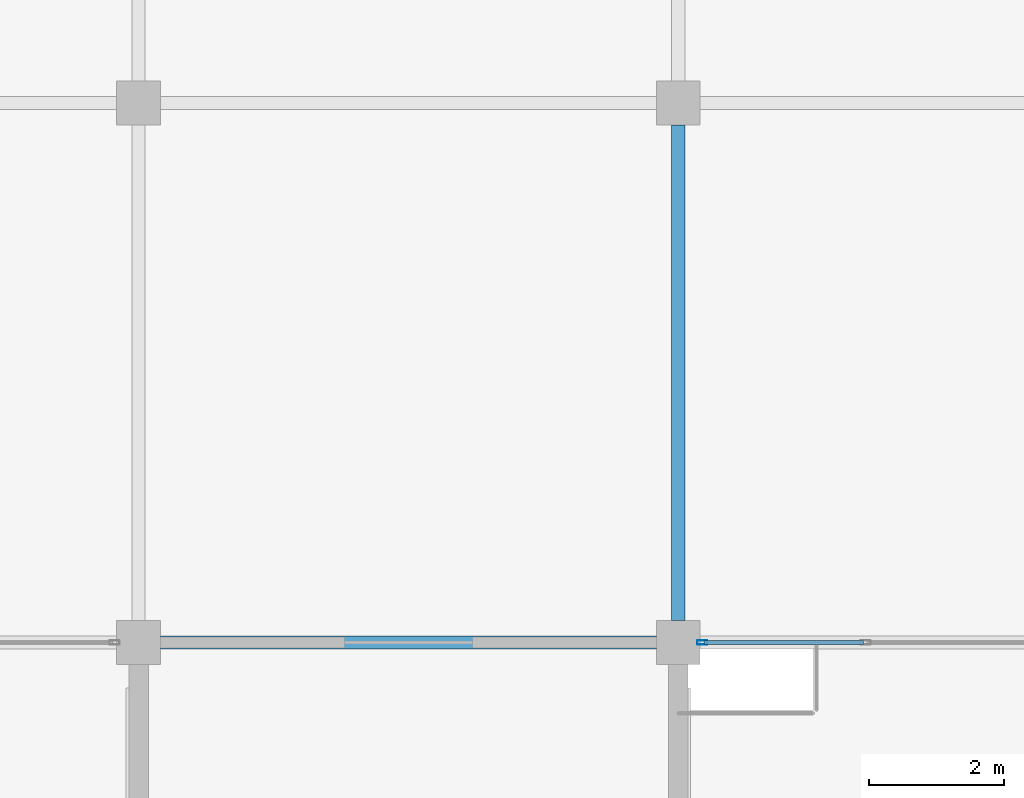
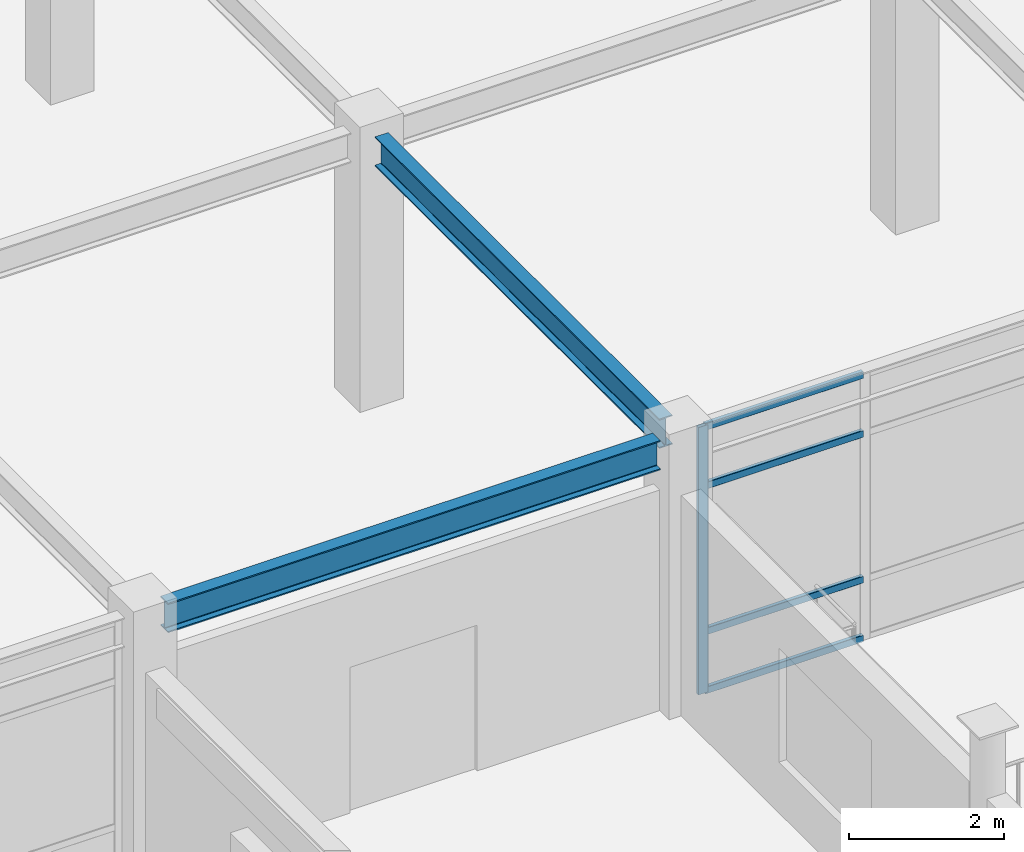
# One storey, part 47 of 78: 5 members, 2 beams, 1 element without a shape of its own.
"""IFC4 building model written with IfcOpenShell, lengths in metres."""

import ifcopenshell
import ifcopenshell.guid

model = None  # the IFC model being written
_history = None  # IfcOwnerHistory: only IFC2X3 demands one
_inside = {}  # id of a spatial element -> (the spatial element, [elements in it])
_under = {}  # id of a project, library or spatial element -> (it, [spatial elements below it])
_declared = {}  # id of a project -> (the project, [libraries it declares])
_typed = {}  # id of a type object -> (the type object, [elements of that type])
_made_of = {}  # id of a material, layer set ... -> (it, [elements and type objects made of it])


def new_model(schema):
    """Start an empty IFC model of exactly this schema.

    Asked for "IFC4X3", IfcOpenShell would pick the latest addendum, in which some entities
    have other attributes; the version numbers below select the first issue.
    IFC2X3 requires an IfcOwnerHistory on every rooted entity: one is made here for all.
    """
    global model, _history
    if schema == "IFC4X3":
        model = ifcopenshell.file(schema_version=(4, 3, 0, 0))
    else:
        model = ifcopenshell.file(schema=schema)
    _inside.clear()
    _under.clear()
    _declared.clear()
    _typed.clear()
    _made_of.clear()
    _history = None
    if model.schema == "IFC2X3":
        org = make("IfcOrganization", Name="unknown")
        user = make(
            "IfcPersonAndOrganization",
            ThePerson=make("IfcPerson", FamilyName="unknown"),
            TheOrganization=org,
        )
        app = make(
            "IfcApplication",
            ApplicationDeveloper=org,
            Version="unknown",
            ApplicationFullName="unknown",
            ApplicationIdentifier="unknown",
        )
        _history = make(
            "IfcOwnerHistory",
            OwningUser=user,
            OwningApplication=app,
            ChangeAction="ADDED",
            CreationDate=0,
        )
    return model


def make(cls, **values):
    """One entity of the class cls with the attributes given. An attribute that is None is left unset."""
    return model.create_entity(
        cls, **{name: value for name, value in values.items() if value is not None}
    )


def rooted(cls, **values):
    """An entity with a GlobalId (a new one), such as an element, a storey or a relation."""
    return make(cls, GlobalId=ifcopenshell.guid.new(), OwnerHistory=_history, **values)


def si_unit(unit_type, name, prefix=None):
    """IfcSIUnit, for example si_unit("LENGTHUNIT", "METRE", prefix="MILLI")."""
    return make("IfcSIUnit", UnitType=unit_type, Prefix=prefix, Name=name)


def assignment(units):
    """IfcUnitAssignment: the units of a project."""
    return None if units is None else make("IfcUnitAssignment", Units=units)


def point(xyz):
    """IfcCartesianPoint."""
    return None if xyz is None else make("IfcCartesianPoint", Coordinates=xyz)


def direction(xyz):
    """IfcDirection."""
    return None if xyz is None else make("IfcDirection", DirectionRatios=xyz)


def frame(location, z_axis=None, x_axis=None):
    """IfcAxis2Placement3D, a coordinate frame: its origin and axes. An axis left out is left unset."""
    return make(
        "IfcAxis2Placement3D",
        Location=point(location),
        Axis=direction(z_axis),
        RefDirection=direction(x_axis),
    )


def frame_2d(location, x_axis=None):
    """IfcAxis2Placement2D, a coordinate frame in the plane: its origin and x axis."""
    return make(
        "IfcAxis2Placement2D", Location=point(location), RefDirection=direction(x_axis)
    )


def origin():
    """The frame at (0, 0, 0) with its axes left unset."""
    return frame((0.0, 0.0, 0.0))


def origin_2d():
    """The frame at (0, 0) in the plane with its x axis left unset."""
    return frame_2d((0.0, 0.0))


def place(relative_to, where):
    """IfcLocalPlacement: puts the frame where relative to a parent placement (None: the world)."""
    return make(
        "IfcLocalPlacement", PlacementRelTo=relative_to, RelativePlacement=where
    )


def context(
    kind, dimensions, precision=None, world=None, true_north=None, identifier=None
):
    """IfcGeometricRepresentationContext, for example the 3D "Model" context."""
    return make(
        "IfcGeometricRepresentationContext",
        ContextIdentifier=identifier,
        ContextType=kind,
        CoordinateSpaceDimension=dimensions,
        Precision=precision,
        WorldCoordinateSystem=world,
        TrueNorth=true_north,
    )


def subcontext(parent, identifier, kind, view, scale=None):
    """IfcGeometricRepresentationSubContext, for example "Body" below "Model"."""
    return make(
        "IfcGeometricRepresentationSubContext",
        ContextIdentifier=identifier,
        ContextType=kind,
        ParentContext=parent,
        TargetScale=scale,
        TargetView=view,
    )


def project(units=None, contexts=None):
    """IfcProject with its units and contexts."""
    return rooted(
        "IfcProject",
        Name="project",
        RepresentationContexts=contexts,
        UnitsInContext=assignment(units),
    )


def spatial(cls, under=None, at=None, **own):
    """A site, building, storey or space (cls), placed at a placement, below another one or the project."""
    s = rooted(cls, ObjectPlacement=at, **own)
    if under is not None:
        _under.setdefault(under.id(), (under, []))[1].append(s)
    return s


def profile(cls, at=None, kind="AREA", **sizes):
    """A parametric profile (cls). Its sizes go by their IFC names, for example OverallWidth=200.0."""
    return make(cls, ProfileType=kind, Position=at, **sizes)


def hollow_rectangle(**sizes):
    """IfcRectangleHollowProfileDef."""
    return profile("IfcRectangleHollowProfileDef", **sizes)


def i_section(**sizes):
    """IfcIShapeProfileDef."""
    return profile("IfcIShapeProfileDef", **sizes)


def extrude(swept, where, along, depth):
    """IfcExtrudedAreaSolid: the profile swept, set in the frame where, extruded along a direction by depth."""
    return make(
        "IfcExtrudedAreaSolid",
        SweptArea=swept,
        Position=where,
        ExtrudedDirection=direction(along),
        Depth=depth,
    )


def shape(context_of_items, identifier, shape_type, items):
    """IfcShapeRepresentation: the items that make up one representation, for example the "Body"."""
    return make(
        "IfcShapeRepresentation",
        ContextOfItems=context_of_items,
        RepresentationIdentifier=identifier,
        RepresentationType=shape_type,
        Items=items,
    )


def material(Name=None, Category=None):
    """IfcMaterial."""
    return make("IfcMaterial", Name=Name, Category=Category)


def material_profile(
    of_material, cross_section, Name=None, Category=None, Priority=None
):
    """IfcMaterialProfile: a cross section and its material."""
    return make(
        "IfcMaterialProfile",
        Name=Name,
        Material=of_material,
        Profile=cross_section,
        Priority=Priority,
        Category=Category,
    )


def profile_set(profiles, Name=None, composite=None):
    """IfcMaterialProfileSet."""
    return make(
        "IfcMaterialProfileSet",
        Name=Name,
        MaterialProfiles=profiles,
        CompositeProfile=composite,
    )


def made_of(thing, what):
    """Note that an element or type object is made of a material, layer set ...; save() writes the relation."""
    if what is not None:
        _made_of.setdefault(what.id(), (what, []))[1].append(thing)
    return thing


def type_object(cls, material=None, **own):
    """A type object (cls), such as IfcWallType, which elements share."""
    return made_of(rooted(cls, **own), material)


def element(
    cls,
    number,
    at=None,
    inside=None,
    cuts=None,
    type_object=None,
    material=None,
    context=None,
    identifier="Body",
    shape_type=None,
    held_by="IfcProductDefinitionShape",
    body=None,
    shapes=None,
    **own,
):
    """One element of the class cls, such as IfcWall. Its Tag is "e" and its number.

    at: its placement. inside: the storey or other place that contains it. cuts: it is an
    opening in that element (IfcRelVoidsElement). A single representation is given by context,
    identifier, shape_type and body (its items); several are given by shapes. held_by: the class
    of the entity that holds the representations. save() writes the other relations.
    """
    e = rooted(cls, Tag="e%d" % number, ObjectPlacement=at, **own)
    if body is not None:
        shapes = [shape(context, identifier, shape_type, body)]
    if shapes is not None:
        e.Representation = make(held_by, Representations=shapes)
    if inside is not None:
        _inside.setdefault(inside.id(), (inside, []))[1].append(e)
    if cuts is not None:
        rooted(
            "IfcRelVoidsElement", RelatingBuildingElement=cuts, RelatedOpeningElement=e
        )
    if type_object is not None:
        _typed.setdefault(type_object.id(), (type_object, []))[1].append(e)
    return made_of(e, material)


def aggregate(whole, parts):
    """IfcRelAggregates: a whole, such as a stair, and the parts it consists of."""
    return rooted("IfcRelAggregates", RelatingObject=whole, RelatedObjects=parts)


def save(model, path):
    """Write the relations noted so far, then the file.

    IfcRelAggregates (storeys below a building ...), IfcRelContainedInSpatialStructure (elements
    in a storey), IfcRelDefinesByType, IfcRelAssociatesMaterial and IfcRelDeclares: one each for
    every whole, place, type object, material and project.
    """
    for whole, parts in _under.values():
        aggregate(whole, parts)
    for where, things in _inside.values():
        rooted(
            "IfcRelContainedInSpatialStructure",
            RelatedElements=things,
            RelatingStructure=where,
        )
    for kind, things in _typed.values():
        rooted("IfcRelDefinesByType", RelatedObjects=things, RelatingType=kind)
    for what, things in _made_of.values():
        rooted("IfcRelAssociatesMaterial", RelatedObjects=things, RelatingMaterial=what)
    for by, libraries in _declared.values():
        rooted("IfcRelDeclares", RelatingContext=by, RelatedDefinitions=libraries)
    model.write(path)


model = new_model("IFC4")

# Units and contexts
model_context = context("Model", 3, precision=1e-05, world=origin(), true_north=direction((0.0, 1.0)))
body_context = subcontext(model_context, "Body", "Model", "MODEL_VIEW")
ifc_project = project(units=[si_unit("LENGTHUNIT", "METRE"), si_unit("AREAUNIT", "SQUARE_METRE"), si_unit("VOLUMEUNIT", "CUBIC_METRE"), si_unit("PLANEANGLEUNIT", "RADIAN"), si_unit("MASSUNIT", "GRAM", prefix="KILO")], contexts=[model_context])

# Site, building, storey
site_placement = place(None, origin())
site = spatial("IfcSite", under=ifc_project, at=site_placement, CompositionType="ELEMENT")
building_placement = place(site_placement, origin())
building = spatial("IfcBuilding", under=site, at=building_placement, Name="Solmirada Galleria", CompositionType="ELEMENT")
storey_placement = place(building_placement, frame((0.0, 0.0, 23.89990234375)))
storey = spatial("IfcBuildingStorey", under=building, at=storey_placement, Name="L05", CompositionType="ELEMENT", Elevation=23.89990234375)

# Beams
ifc_material_1 = material(Name="Steel S355 / ASTM A992 Grade 50", Category="steel")
ifc_material_profile_1 = material_profile(ifc_material_1, i_section(OverallWidth=0.193115234375, OverallDepth=0.466064453125, WebThickness=0.011474609375, FlangeThickness=0.01904296875, FilletRadius=0.013916015625, at=origin_2d()), Name="W18X65")
ifc_profile_set_1 = profile_set([ifc_material_profile_1], Name="Steel S355 / ASTM A992 Grade 50")
beam_type = type_object("IfcBeamType", Name="BM-GIRD-W18C", PredefinedType="BEAM", material=ifc_profile_set_1)
for number, where, z_axis, x_axis, name in (
    (1, (88.324951171875, 96.0, 4.0400390625), (1.0, 0.0, 0.0), (0.0, 1.0, 0.0), "North roof girder X=88..96"),
    (2, (96.0, 96.324951171875, 4.0400390625), (0.0, 1.0, 0.0), (-1.0, 0.0, 0.0), "North roof girder Y=96..104"),
):
    element("IfcBeam", number, at=place(storey_placement, frame(where, z_axis=z_axis, x_axis=x_axis)), inside=storey, type_object=beam_type, Name=name, PredefinedType="BEAM", context=body_context, shape_type="SweptSolid", body=[
        extrude(i_section(OverallWidth=0.193115234375, OverallDepth=0.466064453125, WebThickness=0.011474609375, FlangeThickness=0.01904296875, FilletRadius=0.013916015625, at=origin_2d()), origin(), (0.0, 0.0, 1.0), 7.35009765625),
    ])

# Curtain wall, members
ifc_material_2 = material(Name="Impact-resistant low-E double glazing", Category="glass")
curtain_wall_type = type_object("IfcCurtainWallType", Name="CW-FZ4-L05-B3-L074", PredefinedType="NOTDEFINED", material=ifc_material_2)
curtain_wall_placement = place(storey_placement, origin())
curtain_wall = element("IfcCurtainWall", 3, at=curtain_wall_placement, inside=storey, type_object=curtain_wall_type, Name="Terrace and arcade storefront CW-L05-173", PredefinedType="NOTDEFINED")
ifc_material_3 = material(Name="Anodised aluminium framing", Category="aluminium")
ifc_material_profile_2 = material_profile(ifc_material_3, hollow_rectangle(XDim=0.06005859375, YDim=0.14990234375, WallThickness=0.00341796875, InnerFilletRadius=0.00341796875, OuterFilletRadius=0.007080078125, at=origin_2d()), Name="ALU-MULL-150X60")
ifc_profile_set_2 = profile_set([ifc_material_profile_2], Name="Anodised aluminium framing")
member_type_1 = type_object("IfcMemberType", Name="CW-MULL-150", PredefinedType="MULLION", material=ifc_profile_set_2)
member_1_placement = place(storey_placement, frame((96.35693359375, 96.0, 0.0), z_axis=(0.0, 0.0, 1.0), x_axis=(0.0, -1.0, 0.0)))
member_1 = element("IfcMember", 4, at=member_1_placement, type_object=member_type_1, Name="CW34 mullion 4", PredefinedType="MULLION", context=body_context, shape_type="SweptSolid", body=[
    extrude(hollow_rectangle(XDim=0.06005859375, YDim=0.14990234375, WallThickness=0.00341796875, InnerFilletRadius=0.00341796875, OuterFilletRadius=0.007080078125, at=origin_2d()), origin(), (0.0, 0.0, 1.0), 4.22021484375),
])
ifc_material_profile_3 = material_profile(ifc_material_3, hollow_rectangle(XDim=0.06005859375, YDim=0.110107421875, WallThickness=0.003173828125, InnerFilletRadius=0.003173828125, OuterFilletRadius=0.00634765625, at=origin_2d()), Name="ALU-TRAN-110X60")
ifc_profile_set_3 = profile_set([ifc_material_profile_3], Name="Anodised aluminium framing")
member_type_2 = type_object("IfcMemberType", Name="CW-TRAN-110", PredefinedType="USERDEFINED", material=ifc_profile_set_3)
member_2_placement = place(storey_placement, frame((98.74560546875, 96.0, 0.030029296875), z_axis=(-1.0, 0.0, 0.0), x_axis=(0.0, -1.0, 0.0)))
member_2 = element("IfcMember", 5, at=member_2_placement, type_object=member_type_2, Name="CW34 transom 3.1", ObjectType="TRANSOM", PredefinedType="USERDEFINED", context=body_context, shape_type="SweptSolid", body=[
    extrude(hollow_rectangle(XDim=0.06005859375, YDim=0.110107421875, WallThickness=0.003173828125, InnerFilletRadius=0.003173828125, OuterFilletRadius=0.00634765625, at=origin_2d()), origin(), (0.0, 0.0, 1.0), 2.358642578125),
])
member_3_placement = place(storey_placement, frame((98.74560546875, 96.0, 0.960205078125), z_axis=(-1.0, 0.0, 0.0), x_axis=(0.0, -1.0, 0.0)))
member_3 = element("IfcMember", 6, at=member_3_placement, type_object=member_type_2, Name="CW34 transom 3.2", ObjectType="TRANSOM", PredefinedType="USERDEFINED", context=body_context, shape_type="SweptSolid", body=[
    extrude(hollow_rectangle(XDim=0.06005859375, YDim=0.110107421875, WallThickness=0.003173828125, InnerFilletRadius=0.003173828125, OuterFilletRadius=0.00634765625, at=origin_2d()), origin(), (0.0, 0.0, 1.0), 2.358642578125),
])
member_4_placement = place(storey_placement, frame((98.74560546875, 96.0, 3.260009765625), z_axis=(-1.0, 0.0, 0.0), x_axis=(0.0, -1.0, 0.0)))
member_4 = element("IfcMember", 7, at=member_4_placement, type_object=member_type_2, Name="CW34 transom 3.3", ObjectType="TRANSOM", PredefinedType="USERDEFINED", context=body_context, shape_type="SweptSolid", body=[
    extrude(hollow_rectangle(XDim=0.06005859375, YDim=0.110107421875, WallThickness=0.003173828125, InnerFilletRadius=0.003173828125, OuterFilletRadius=0.00634765625, at=origin_2d()), origin(), (0.0, 0.0, 1.0), 2.358642578125),
])
member_5_placement = place(storey_placement, frame((98.74560546875, 96.0, 4.190185546875), z_axis=(-1.0, 0.0, 0.0), x_axis=(0.0, -1.0, 0.0)))
member_5 = element("IfcMember", 8, at=member_5_placement, type_object=member_type_2, Name="CW34 transom 3.4", ObjectType="TRANSOM", PredefinedType="USERDEFINED", context=body_context, shape_type="SweptSolid", body=[
    extrude(hollow_rectangle(XDim=0.06005859375, YDim=0.110107421875, WallThickness=0.003173828125, InnerFilletRadius=0.003173828125, OuterFilletRadius=0.00634765625, at=origin_2d()), origin(), (0.0, 0.0, 1.0), 2.358642578125),
])
aggregate(curtain_wall, [member_1, member_2, member_3, member_4, member_5])

save(model, "model.ifc")
